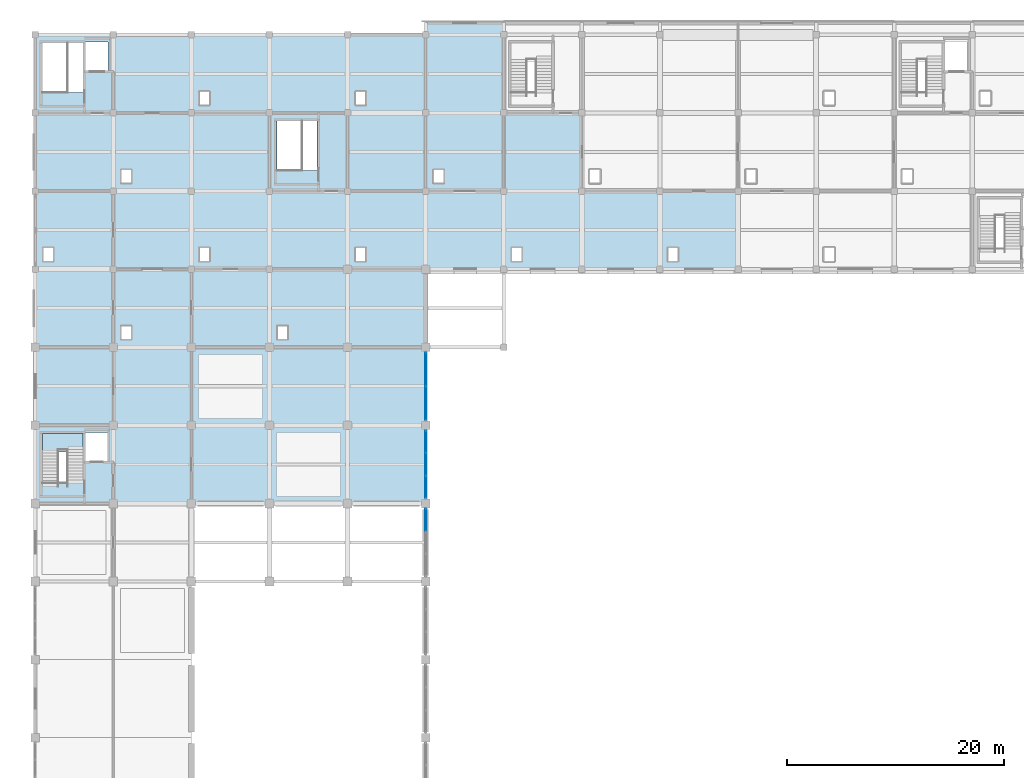
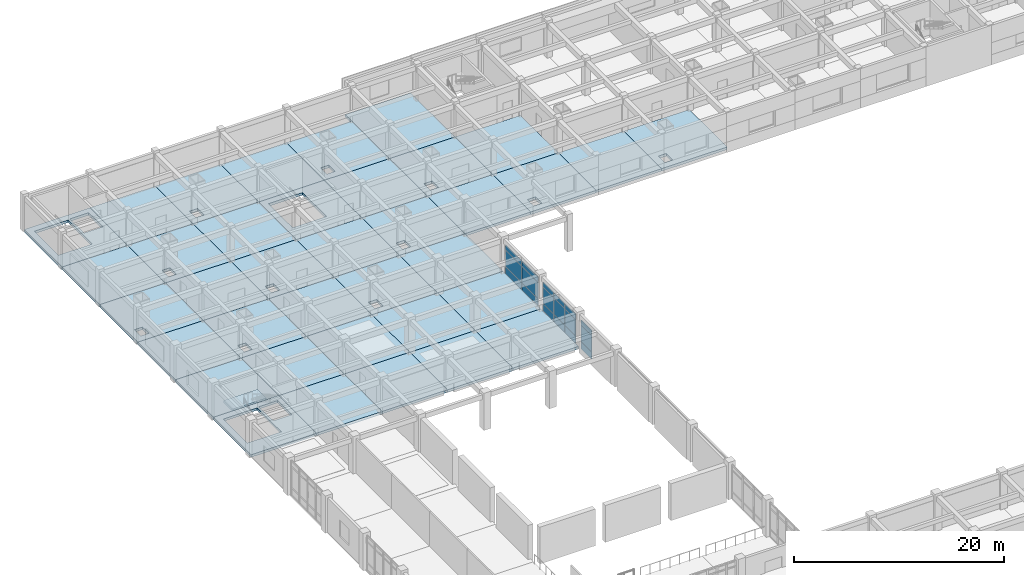
# One storey, part 38 of 70: 38 slabs, 18 plates, 4 elements without a shape of their own.
"""IFC4 building model written with IfcOpenShell, lengths in metres."""

from ifc_helpers import new_model, si_unit, direction, frame, origin, origin_2d, place, context, subcontext, project, spatial, polyline, rectangle, outline, extrude, material, layer, layer_set, type_object, element, aggregate, save


model = new_model("IFC4")

# Units and contexts
model_context = context("Model", 3, precision=1e-05, world=origin(), true_north=direction((0.0, 1.0)))
body_context = subcontext(model_context, "Body", "Model", "MODEL_VIEW")
ifc_project = project(units=[si_unit("LENGTHUNIT", "METRE"), si_unit("AREAUNIT", "SQUARE_METRE"), si_unit("VOLUMEUNIT", "CUBIC_METRE"), si_unit("PLANEANGLEUNIT", "RADIAN"), si_unit("MASSUNIT", "GRAM", prefix="KILO")], contexts=[model_context])

# Site, building, storey
site_placement = place(None, origin())
site = spatial("IfcSite", under=ifc_project, at=site_placement, CompositionType="ELEMENT")
building_placement = place(site_placement, origin())
building = spatial("IfcBuilding", under=site, at=building_placement, Name="Kavelor Marine Aquarium", CompositionType="ELEMENT")
storey_placement = place(building_placement, frame((0.0, 0.0, 9.179931640625)))
storey = spatial("IfcBuildingStorey", under=building, at=storey_placement, Name="L02", CompositionType="ELEMENT", Elevation=9.179931640625)

# Curtain wall, plates
ifc_material_1 = material(Name="Thermally Broken Aluminium and Low-E Glass", Category="aluminium")
ifc_layer_1 = layer(ifc_material_1, 0.30810546875)
ifc_layer_set_1 = layer_set([ifc_layer_1], Name="CW-SYS21")
curtain_wall_type_1 = type_object("IfcCurtainWallType", Name="CW-SYS21", PredefinedType="USERDEFINED", material=ifc_layer_set_1)
curtain_wall_1_placement = place(storey_placement, origin())
curtain_wall_1 = element("IfcCurtainWall", 1, at=curtain_wall_1_placement, inside=storey, type_object=curtain_wall_type_1, Name="cw:y:L02:05_08", ObjectType="Curtain Wall", PredefinedType="USERDEFINED")
ifc_material_2 = material(Name="Solar-Control Double Low-E Glazing", Category="glass")
ifc_layer_2 = layer(ifc_material_2, 0.06591796875)
ifc_layer_set_2 = layer_set([ifc_layer_2], Name="CWP-21")
plate_type_1 = type_object("IfcPlateType", Name="CWP-21", PredefinedType="CURTAIN_PANEL", material=ifc_layer_set_2)
plate_1_placement = place(storey_placement, frame((39.199951171875, 66.08837890625, 0.06494140625), z_axis=(0.0, 0.0, 1.0), x_axis=(0.0, 1.0, 0.0)))
plate_1 = element("IfcPlate", 2, at=plate_1_placement, type_object=plate_type_1, Name="CW21 panel 3.1", PredefinedType="CURTAIN_PANEL", context=body_context, shape_type="SweptSolid", body=[
    extrude(rectangle(XDim=2.013427734375, YDim=0.06591796875, at=origin_2d()), origin(), (0.0, 0.0, 1.0), 0.802490234375),
])
plate_2_placement = place(storey_placement, frame((39.199951171875, 66.08837890625, 0.9326171875), z_axis=(0.0, 0.0, 1.0), x_axis=(0.0, 1.0, 0.0)))
plate_2 = element("IfcPlate", 3, at=plate_2_placement, type_object=plate_type_1, Name="CW21 panel 3.2", PredefinedType="CURTAIN_PANEL", context=body_context, shape_type="SweptSolid", body=[
    extrude(rectangle(XDim=2.013427734375, YDim=0.06591796875, at=origin_2d()), origin(), (0.0, 0.0, 1.0), 1.844970703125),
])
plate_3_placement = place(storey_placement, frame((39.199951171875, 66.08837890625, 2.8427734375), z_axis=(0.0, 0.0, 1.0), x_axis=(0.0, 1.0, 0.0)))
plate_3 = element("IfcPlate", 4, at=plate_3_placement, type_object=plate_type_1, Name="CW21 panel 3.3", PredefinedType="CURTAIN_PANEL", context=body_context, shape_type="SweptSolid", body=[
    extrude(rectangle(XDim=2.013427734375, YDim=0.06591796875, at=origin_2d()), origin(), (0.0, 0.0, 1.0), 0.552490234375),
])
aggregate(curtain_wall_1, [plate_1, plate_2, plate_3])

ifc_material_3 = material(Name="Thermally Broken Aluminium and Low-E Glass", Category="aluminium")
ifc_layer_3 = layer(ifc_material_3, 0.31591796875)
ifc_layer_set_3 = layer_set([ifc_layer_3], Name="CW-SYS22")
curtain_wall_type_2 = type_object("IfcCurtainWallType", Name="CW-SYS22", PredefinedType="USERDEFINED", material=ifc_layer_set_3)
curtain_wall_2_placement = place(storey_placement, origin())
curtain_wall_2 = element("IfcCurtainWall", 5, at=curtain_wall_2_placement, inside=storey, type_object=curtain_wall_type_2, Name="cw:y:L02:05_09", ObjectType="Curtain Wall", PredefinedType="USERDEFINED")
ifc_material_4 = material(Name="Solar-Control Double Low-E Glazing", Category="glass")
ifc_layer_4 = layer(ifc_material_4, 0.068115234375)
ifc_layer_set_4 = layer_set([ifc_layer_4], Name="CWP-22")
plate_type_2 = type_object("IfcPlateType", Name="CWP-22", PredefinedType="CURTAIN_PANEL", material=ifc_layer_set_4)
plate_4_placement = place(storey_placement, frame((39.199951171875, 69.115478515625, 0.06005859375), z_axis=(0.0, 0.0, 1.0), x_axis=(0.0, 1.0, 0.0)))
plate_4 = element("IfcPlate", 6, at=plate_4_placement, type_object=plate_type_2, Name="CW22 panel 1.1", PredefinedType="CURTAIN_PANEL", context=body_context, shape_type="SweptSolid", body=[
    extrude(rectangle(XDim=1.99072265625, YDim=0.068115234375, at=origin_2d()), origin(), (0.0, 0.0, 1.0), 0.81005859375),
])
plate_5_placement = place(storey_placement, frame((39.199951171875, 69.115478515625, 0.929931640625), z_axis=(0.0, 0.0, 1.0), x_axis=(0.0, 1.0, 0.0)))
plate_5 = element("IfcPlate", 7, at=plate_5_placement, type_object=plate_type_2, Name="CW22 panel 1.2", PredefinedType="CURTAIN_PANEL", context=body_context, shape_type="SweptSolid", body=[
    extrude(rectangle(XDim=1.99072265625, YDim=0.068115234375, at=origin_2d()), origin(), (0.0, 0.0, 1.0), 1.8701171875),
])
plate_6_placement = place(storey_placement, frame((39.199951171875, 69.115478515625, 2.860107421875), z_axis=(0.0, 0.0, 1.0), x_axis=(0.0, 1.0, 0.0)))
plate_6 = element("IfcPlate", 8, at=plate_6_placement, type_object=plate_type_2, Name="CW22 panel 1.3", PredefinedType="CURTAIN_PANEL", context=body_context, shape_type="SweptSolid", body=[
    extrude(rectangle(XDim=1.99072265625, YDim=0.068115234375, at=origin_2d()), origin(), (0.0, 0.0, 1.0), 0.56005859375),
])
plate_7_placement = place(storey_placement, frame((39.199951171875, 71.199951171875, 0.06005859375), z_axis=(0.0, 0.0, 1.0), x_axis=(0.0, 1.0, 0.0)))
plate_7 = element("IfcPlate", 9, at=plate_7_placement, type_object=plate_type_2, Name="CW22 panel 2.1", PredefinedType="CURTAIN_PANEL", context=body_context, shape_type="SweptSolid", body=[
    extrude(rectangle(XDim=2.0283203125, YDim=0.068115234375, at=origin_2d()), origin(), (0.0, 0.0, 1.0), 0.81005859375),
])
plate_8_placement = place(storey_placement, frame((39.199951171875, 71.199951171875, 0.929931640625), z_axis=(0.0, 0.0, 1.0), x_axis=(0.0, 1.0, 0.0)))
plate_8 = element("IfcPlate", 10, at=plate_8_placement, type_object=plate_type_2, Name="CW22 panel 2.2", PredefinedType="CURTAIN_PANEL", context=body_context, shape_type="SweptSolid", body=[
    extrude(rectangle(XDim=2.0283203125, YDim=0.068115234375, at=origin_2d()), origin(), (0.0, 0.0, 1.0), 1.8701171875),
])
plate_9_placement = place(storey_placement, frame((39.199951171875, 71.199951171875, 2.860107421875), z_axis=(0.0, 0.0, 1.0), x_axis=(0.0, 1.0, 0.0)))
plate_9 = element("IfcPlate", 11, at=plate_9_placement, type_object=plate_type_2, Name="CW22 panel 2.3", PredefinedType="CURTAIN_PANEL", context=body_context, shape_type="SweptSolid", body=[
    extrude(rectangle(XDim=2.0283203125, YDim=0.068115234375, at=origin_2d()), origin(), (0.0, 0.0, 1.0), 0.56005859375),
])
plate_10_placement = place(storey_placement, frame((39.199951171875, 73.28466796875, 0.06005859375), z_axis=(0.0, 0.0, 1.0), x_axis=(0.0, 1.0, 0.0)))
plate_10 = element("IfcPlate", 12, at=plate_10_placement, type_object=plate_type_2, Name="CW22 panel 3.1", PredefinedType="CURTAIN_PANEL", context=body_context, shape_type="SweptSolid", body=[
    extrude(rectangle(XDim=1.99072265625, YDim=0.068115234375, at=origin_2d()), origin(), (0.0, 0.0, 1.0), 0.81005859375),
])
plate_11_placement = place(storey_placement, frame((39.199951171875, 73.28466796875, 0.929931640625), z_axis=(0.0, 0.0, 1.0), x_axis=(0.0, 1.0, 0.0)))
plate_11 = element("IfcPlate", 13, at=plate_11_placement, type_object=plate_type_2, Name="CW22 panel 3.2", PredefinedType="CURTAIN_PANEL", context=body_context, shape_type="SweptSolid", body=[
    extrude(rectangle(XDim=1.99072265625, YDim=0.068115234375, at=origin_2d()), origin(), (0.0, 0.0, 1.0), 1.8701171875),
])
plate_12_placement = place(storey_placement, frame((39.199951171875, 73.28466796875, 2.860107421875), z_axis=(0.0, 0.0, 1.0), x_axis=(0.0, 1.0, 0.0)))
plate_12 = element("IfcPlate", 14, at=plate_12_placement, type_object=plate_type_2, Name="CW22 panel 3.3", PredefinedType="CURTAIN_PANEL", context=body_context, shape_type="SweptSolid", body=[
    extrude(rectangle(XDim=1.99072265625, YDim=0.068115234375, at=origin_2d()), origin(), (0.0, 0.0, 1.0), 0.56005859375),
])
aggregate(curtain_wall_2, [plate_4, plate_5, plate_6, plate_7, plate_8, plate_9, plate_10, plate_11, plate_12])

ifc_material_5 = material(Name="Thermally Broken Aluminium and Low-E Glass", Category="aluminium")
ifc_layer_5 = layer(ifc_material_5, 0.323974609375)
ifc_layer_set_5 = layer_set([ifc_layer_5], Name="CW-SYS23")
curtain_wall_type_3 = type_object("IfcCurtainWallType", Name="CW-SYS23", PredefinedType="USERDEFINED", material=ifc_layer_set_5)
curtain_wall_3_placement = place(storey_placement, origin())
curtain_wall_3 = element("IfcCurtainWall", 15, at=curtain_wall_3_placement, inside=storey, type_object=curtain_wall_type_3, Name="cw:y:L02:05_10", ObjectType="Curtain Wall", PredefinedType="USERDEFINED")
ifc_material_6 = material(Name="Solar-Control Double Low-E Glazing", Category="glass")
ifc_layer_6 = layer(ifc_material_6, 0.070068359375)
ifc_layer_set_6 = layer_set([ifc_layer_6], Name="CWP-23")
plate_type_3 = type_object("IfcPlateType", Name="CWP-23", PredefinedType="CURTAIN_PANEL", material=ifc_layer_set_6)
plate_13_placement = place(storey_placement, frame((39.199951171875, 76.8388671875, 0.06005859375), z_axis=(0.0, 0.0, 1.0), x_axis=(0.0, 1.0, 0.0)))
plate_13 = element("IfcPlate", 16, at=plate_13_placement, type_object=plate_type_3, Name="CW23 panel 1.1", PredefinedType="CURTAIN_PANEL", context=body_context, shape_type="SweptSolid", body=[
    extrude(rectangle(XDim=3.0576171875, YDim=0.070068359375, at=origin_2d()), origin(), (0.0, 0.0, 1.0), 0.81005859375),
])
plate_14_placement = place(storey_placement, frame((39.199951171875, 76.8388671875, 0.929931640625), z_axis=(0.0, 0.0, 1.0), x_axis=(0.0, 1.0, 0.0)))
plate_14 = element("IfcPlate", 17, at=plate_14_placement, type_object=plate_type_3, Name="CW23 panel 1.2", PredefinedType="CURTAIN_PANEL", context=body_context, shape_type="SweptSolid", body=[
    extrude(rectangle(XDim=3.0576171875, YDim=0.070068359375, at=origin_2d()), origin(), (0.0, 0.0, 1.0), 1.85009765625),
])
plate_15_placement = place(storey_placement, frame((39.199951171875, 76.8388671875, 2.840087890625), z_axis=(0.0, 0.0, 1.0), x_axis=(0.0, 1.0, 0.0)))
plate_15 = element("IfcPlate", 18, at=plate_15_placement, type_object=plate_type_3, Name="CW23 panel 1.3", PredefinedType="CURTAIN_PANEL", context=body_context, shape_type="SweptSolid", body=[
    extrude(rectangle(XDim=3.0576171875, YDim=0.070068359375, at=origin_2d()), origin(), (0.0, 0.0, 1.0), 0.56005859375),
])
plate_16_placement = place(storey_placement, frame((39.199951171875, 79.961181640625, 0.06005859375), z_axis=(0.0, 0.0, 1.0), x_axis=(0.0, 1.0, 0.0)))
plate_16 = element("IfcPlate", 19, at=plate_16_placement, type_object=plate_type_3, Name="CW23 panel 2.1", PredefinedType="CURTAIN_PANEL", context=body_context, shape_type="SweptSolid", body=[
    extrude(rectangle(XDim=3.0576171875, YDim=0.070068359375, at=origin_2d()), origin(), (0.0, 0.0, 1.0), 0.81005859375),
])
plate_17_placement = place(storey_placement, frame((39.199951171875, 79.961181640625, 0.929931640625), z_axis=(0.0, 0.0, 1.0), x_axis=(0.0, 1.0, 0.0)))
plate_17 = element("IfcPlate", 20, at=plate_17_placement, type_object=plate_type_3, Name="CW23 panel 2.2", PredefinedType="CURTAIN_PANEL", context=body_context, shape_type="SweptSolid", body=[
    extrude(rectangle(XDim=3.0576171875, YDim=0.070068359375, at=origin_2d()), origin(), (0.0, 0.0, 1.0), 1.85009765625),
])
plate_18_placement = place(storey_placement, frame((39.199951171875, 79.961181640625, 2.840087890625), z_axis=(0.0, 0.0, 1.0), x_axis=(0.0, 1.0, 0.0)))
plate_18 = element("IfcPlate", 21, at=plate_18_placement, type_object=plate_type_3, Name="CW23 panel 2.3", PredefinedType="CURTAIN_PANEL", context=body_context, shape_type="SweptSolid", body=[
    extrude(rectangle(XDim=3.0576171875, YDim=0.070068359375, at=origin_2d()), origin(), (0.0, 0.0, 1.0), 0.56005859375),
])
aggregate(curtain_wall_3, [plate_13, plate_14, plate_15, plate_16, plate_17, plate_18])

# Stair, slab
ifc_material_7 = material(Name="Concrete C40/50", Category="concrete")
stair_type = type_object("IfcStairType", Name="ST-T3", PredefinedType="HALF_TURN_STAIR", material=ifc_material_7)
stair_placement = place(storey_placement, origin())
stair = element("IfcStair", 22, at=stair_placement, inside=storey, type_object=stair_type, Name="Exit Stair ST03 (L02)", PredefinedType="HALF_TURN_STAIR")
ifc_material_8 = material(Name="Concrete C40/50", Category="concrete")
ifc_layer_7 = layer(ifc_material_8, 0.199951171875)
ifc_layer_set_7 = layer_set([ifc_layer_7], Name="LND-T3")
slab_type_1 = type_object("IfcSlabType", Name="LND-T3", PredefinedType="LANDING", material=ifc_layer_set_7)
slab_1_placement = place(storey_placement, frame((0.0, 0.0, 1.9599609375)))
slab_1 = element("IfcSlab", 23, at=slab_1_placement, type_object=slab_type_1, Name="ST03 landing 1", PredefinedType="LANDING", context=body_context, shape_type="SweptSolid", body=[
    extrude(outline(polyline([(3.860107421875, 72.364013671875), (7.6201171875, 72.364013671875), (7.6201171875, 74.06005859375), (3.860107421875, 74.06005859375), (3.860107421875, 72.364013671875)])), origin(), (0.0, 0.0, 1.0), 0.2001953125),
])
aggregate(stair, [slab_1])

# Slabs
ifc_material_9 = material(Name="Concrete C40/50", Category="concrete")
ifc_layer_8 = layer(ifc_material_9, 0.300048828125)
ifc_layer_set_8 = layer_set([ifc_layer_8], Name="SL-FL1")
slab_type_2 = type_object("IfcSlabType", Name="SL-FL1", PredefinedType="FLOOR", material=ifc_layer_set_8)
slab_2_placement = place(storey_placement, frame((0.0, 0.0, -0.300048828125)))
element("IfcSlab", 24, at=slab_2_placement, inside=storey, type_object=slab_type_2, Name="slab:L02:00_10", PredefinedType="FLOOR", context=body_context, shape_type="SweptSolid", body=[
    extrude(outline(polyline([(3.199951171875, 74.800048828125), (10.39990234375, 74.800048828125), (10.39990234375, 82.0), (3.199951171875, 82.0), (3.199951171875, 74.800048828125)])), origin(), (0.0, 0.0, 1.0), 0.300048828125),
])
slab_3_placement = place(storey_placement, frame((0.0, 0.0, -0.300048828125)))
element("IfcSlab", 25, at=slab_3_placement, inside=storey, type_object=slab_type_2, Name="slab:L02:00_12", PredefinedType="FLOOR", context=body_context, shape_type="SweptSolid", body=[
    extrude(outline(polyline([(3.199951171875, 89.199951171875), (10.39990234375, 89.199951171875), (10.39990234375, 96.39990234375), (3.199951171875, 96.39990234375), (3.199951171875, 89.199951171875)]), holes=[polyline([(3.949951171875, 89.949951171875), (4.85009765625, 89.949951171875), (4.85009765625, 91.14990234375), (3.949951171875, 91.14990234375), (3.949951171875, 89.949951171875)])]), origin(), (0.0, 0.0, 1.0), 0.300048828125),
])
slab_4_placement = place(storey_placement, frame((0.0, 0.0, -0.300048828125)))
element("IfcSlab", 26, at=slab_4_placement, inside=storey, type_object=slab_type_2, Name="slab:L02:00_14", PredefinedType="FLOOR", context=body_context, shape_type="SweptSolid", body=[
    extrude(outline(polyline([(3.199951171875, 103.60009765625), (10.39990234375, 103.60009765625), (10.39990234375, 110.800048828125), (3.199951171875, 110.800048828125), (3.199951171875, 103.60009765625)]), holes=[polyline([(3.8798828125, 105.48291015625), (7.60009765625, 105.48291015625), (7.60009765625, 110.070068359375), (3.8798828125, 110.070068359375), (3.8798828125, 105.48291015625)]), polyline([(7.860107421875, 107.449951171875), (9.89990234375, 107.449951171875), (9.89990234375, 110.14990234375), (7.800048828125, 110.14990234375), (7.860107421875, 107.449951171875)])]), origin(), (0.0, 0.0, 1.0), 0.300048828125),
])
slab_5_placement = place(storey_placement, frame((0.0, 0.0, -0.300048828125)))
element("IfcSlab", 27, at=slab_5_placement, inside=storey, type_object=slab_type_2, Name="slab:L02:01_09", PredefinedType="FLOOR", context=body_context, shape_type="SweptSolid", body=[
    extrude(outline(polyline([(10.39990234375, 67.60009765625), (17.60009765625, 67.60009765625), (17.60009765625, 74.800048828125), (10.39990234375, 74.800048828125), (10.39990234375, 67.60009765625)])), origin(), (0.0, 0.0, 1.0), 0.300048828125),
])
slab_6_placement = place(storey_placement, frame((0.0, 0.0, -0.300048828125)))
element("IfcSlab", 28, at=slab_6_placement, inside=storey, type_object=slab_type_2, Name="slab:L02:01_11", PredefinedType="FLOOR", context=body_context, shape_type="SweptSolid", body=[
    extrude(outline(polyline([(10.39990234375, 82.0), (17.60009765625, 82.0), (17.60009765625, 89.199951171875), (10.39990234375, 89.199951171875), (10.39990234375, 82.0)]), holes=[polyline([(11.14990234375, 82.75), (12.050048828125, 82.75), (12.050048828125, 83.949951171875), (11.14990234375, 83.949951171875), (11.14990234375, 82.75)])]), origin(), (0.0, 0.0, 1.0), 0.300048828125),
])
slab_7_placement = place(storey_placement, frame((0.0, 0.0, -0.300048828125)))
element("IfcSlab", 29, at=slab_7_placement, inside=storey, type_object=slab_type_2, Name="slab:L02:01_13", PredefinedType="FLOOR", context=body_context, shape_type="SweptSolid", body=[
    extrude(outline(polyline([(10.39990234375, 96.39990234375), (17.60009765625, 96.39990234375), (17.60009765625, 103.60009765625), (10.39990234375, 103.60009765625), (10.39990234375, 96.39990234375)]), holes=[polyline([(11.14990234375, 97.14990234375), (12.050048828125, 97.14990234375), (12.050048828125, 98.35009765625), (11.14990234375, 98.35009765625), (11.14990234375, 97.14990234375)])]), origin(), (0.0, 0.0, 1.0), 0.300048828125),
])
slab_8_placement = place(storey_placement, frame((0.0, 0.0, -0.300048828125)))
element("IfcSlab", 30, at=slab_8_placement, inside=storey, type_object=slab_type_2, Name="slab:L02:02_10", PredefinedType="FLOOR", context=body_context, shape_type="SweptSolid", body=[
    extrude(outline(polyline([(17.60009765625, 74.800048828125), (24.800048828125, 74.800048828125), (24.800048828125, 82.0), (17.60009765625, 82.0), (17.60009765625, 74.800048828125)])), origin(), (0.0, 0.0, 1.0), 0.300048828125),
])
slab_9_placement = place(storey_placement, frame((0.0, 0.0, -0.300048828125)))
element("IfcSlab", 31, at=slab_9_placement, inside=storey, type_object=slab_type_2, Name="slab:L02:02_12", PredefinedType="FLOOR", context=body_context, shape_type="SweptSolid", body=[
    extrude(outline(polyline([(17.60009765625, 89.199951171875), (24.800048828125, 89.199951171875), (24.800048828125, 96.39990234375), (17.60009765625, 96.39990234375), (17.60009765625, 89.199951171875)]), holes=[polyline([(18.35009765625, 89.949951171875), (19.25, 89.949951171875), (19.25, 91.14990234375), (18.35009765625, 91.14990234375), (18.35009765625, 89.949951171875)])]), origin(), (0.0, 0.0, 1.0), 0.300048828125),
])
slab_10_placement = place(storey_placement, frame((0.0, 0.0, -0.300048828125)))
element("IfcSlab", 32, at=slab_10_placement, inside=storey, type_object=slab_type_2, Name="slab:L02:02_14", PredefinedType="FLOOR", context=body_context, shape_type="SweptSolid", body=[
    extrude(outline(polyline([(17.60009765625, 103.60009765625), (24.800048828125, 103.60009765625), (24.800048828125, 110.800048828125), (17.60009765625, 110.800048828125), (17.60009765625, 103.60009765625)]), holes=[polyline([(18.35009765625, 104.35009765625), (19.25, 104.35009765625), (19.25, 105.550048828125), (18.35009765625, 105.550048828125), (18.35009765625, 104.35009765625)])]), origin(), (0.0, 0.0, 1.0), 0.300048828125),
])
slab_11_placement = place(storey_placement, frame((0.0, 0.0, -0.300048828125)))
element("IfcSlab", 33, at=slab_11_placement, inside=storey, type_object=slab_type_2, Name="slab:L02:03_09", PredefinedType="FLOOR", context=body_context, shape_type="SweptSolid", body=[
    extrude(outline(polyline([(24.800048828125, 67.60009765625), (32.0, 67.60009765625), (32.0, 74.800048828125), (24.800048828125, 74.800048828125), (24.800048828125, 67.60009765625)])), origin(), (0.0, 0.0, 1.0), 0.300048828125),
])
slab_12_placement = place(storey_placement, frame((0.0, 0.0, -0.300048828125)))
element("IfcSlab", 34, at=slab_12_placement, inside=storey, type_object=slab_type_2, Name="slab:L02:03_11", PredefinedType="FLOOR", context=body_context, shape_type="SweptSolid", body=[
    extrude(outline(polyline([(24.800048828125, 82.0), (32.0, 82.0), (32.0, 89.199951171875), (24.800048828125, 89.199951171875), (24.800048828125, 82.0)]), holes=[polyline([(25.550048828125, 82.75), (26.449951171875, 82.75), (26.449951171875, 83.949951171875), (25.550048828125, 83.949951171875), (25.550048828125, 82.75)])]), origin(), (0.0, 0.0, 1.0), 0.300048828125),
])
slab_13_placement = place(storey_placement, frame((0.0, 0.0, -0.300048828125)))
element("IfcSlab", 35, at=slab_13_placement, inside=storey, type_object=slab_type_2, Name="slab:L02:03_13", PredefinedType="FLOOR", context=body_context, shape_type="SweptSolid", body=[
    extrude(outline(polyline([(24.800048828125, 96.39990234375), (32.0, 96.39990234375), (32.0, 103.60009765625), (24.800048828125, 103.60009765625), (24.800048828125, 96.39990234375)]), holes=[polyline([(25.47998046875, 98.282958984375), (29.199951171875, 98.282958984375), (29.199951171875, 102.8701171875), (25.47998046875, 102.8701171875), (25.47998046875, 98.282958984375)])]), origin(), (0.0, 0.0, 1.0), 0.300048828125),
])
slab_14_placement = place(storey_placement, frame((0.0, 0.0, -0.300048828125)))
element("IfcSlab", 36, at=slab_14_placement, inside=storey, type_object=slab_type_2, Name="slab:L02:04_10", PredefinedType="FLOOR", context=body_context, shape_type="SweptSolid", body=[
    extrude(outline(polyline([(32.0, 74.800048828125), (39.199951171875, 74.800048828125), (39.199951171875, 82.0), (32.0, 82.0), (32.0, 74.800048828125)])), origin(), (0.0, 0.0, 1.0), 0.300048828125),
])
slab_15_placement = place(storey_placement, frame((0.0, 0.0, -0.300048828125)))
element("IfcSlab", 37, at=slab_15_placement, inside=storey, type_object=slab_type_2, Name="slab:L02:04_12", PredefinedType="FLOOR", context=body_context, shape_type="SweptSolid", body=[
    extrude(outline(polyline([(32.0, 89.199951171875), (39.199951171875, 89.199951171875), (39.199951171875, 96.39990234375), (32.0, 96.39990234375), (32.0, 89.199951171875)]), holes=[polyline([(32.75, 89.949951171875), (33.64990234375, 89.949951171875), (33.64990234375, 91.14990234375), (32.75, 91.14990234375), (32.75, 89.949951171875)])]), origin(), (0.0, 0.0, 1.0), 0.300048828125),
])
slab_16_placement = place(storey_placement, frame((0.0, 0.0, -0.300048828125)))
element("IfcSlab", 38, at=slab_16_placement, inside=storey, type_object=slab_type_2, Name="slab:L02:04_14", PredefinedType="FLOOR", context=body_context, shape_type="SweptSolid", body=[
    extrude(outline(polyline([(32.0, 103.60009765625), (39.199951171875, 103.60009765625), (39.199951171875, 110.800048828125), (32.0, 110.800048828125), (32.0, 103.60009765625)]), holes=[polyline([(32.75, 104.35009765625), (33.64990234375, 104.35009765625), (33.64990234375, 105.550048828125), (32.75, 105.550048828125), (32.75, 104.35009765625)])]), origin(), (0.0, 0.0, 1.0), 0.300048828125),
])
slab_17_placement = place(storey_placement, frame((0.0, 0.0, -0.300048828125)))
element("IfcSlab", 39, at=slab_17_placement, inside=storey, type_object=slab_type_2, Name="slab:L02:05_13", PredefinedType="FLOOR", context=body_context, shape_type="SweptSolid", body=[
    extrude(outline(polyline([(39.199951171875, 96.39990234375), (46.39990234375, 96.39990234375), (46.39990234375, 103.60009765625), (39.199951171875, 103.60009765625), (39.199951171875, 96.39990234375)]), holes=[polyline([(39.949951171875, 97.14990234375), (40.85009765625, 97.14990234375), (40.85009765625, 98.35009765625), (39.949951171875, 98.35009765625), (39.949951171875, 97.14990234375)])]), origin(), (0.0, 0.0, 1.0), 0.300048828125),
])
slab_18_placement = place(storey_placement, frame((0.0, 0.0, -0.300048828125)))
element("IfcSlab", 40, at=slab_18_placement, inside=storey, type_object=slab_type_2, Name="slab:L02:06_12", PredefinedType="FLOOR", context=body_context, shape_type="SweptSolid", body=[
    extrude(outline(polyline([(46.39990234375, 89.199951171875), (53.60009765625, 89.199951171875), (53.60009765625, 96.39990234375), (46.39990234375, 96.39990234375), (46.39990234375, 89.199951171875)]), holes=[polyline([(47.14990234375, 89.949951171875), (48.050048828125, 89.949951171875), (48.050048828125, 91.14990234375), (47.14990234375, 91.14990234375), (47.14990234375, 89.949951171875)])]), origin(), (0.0, 0.0, 1.0), 0.300048828125),
])
slab_19_placement = place(storey_placement, frame((0.0, 0.0, -0.300048828125)))
element("IfcSlab", 41, at=slab_19_placement, inside=storey, type_object=slab_type_2, Name="slab:L02:08_12", PredefinedType="FLOOR", context=body_context, shape_type="SweptSolid", body=[
    extrude(outline(polyline([(60.800048828125, 89.199951171875), (68.0, 89.199951171875), (68.0, 96.39990234375), (60.800048828125, 96.39990234375), (60.800048828125, 89.199951171875)]), holes=[polyline([(61.550048828125, 89.949951171875), (62.449951171875, 89.949951171875), (62.449951171875, 91.14990234375), (61.550048828125, 91.14990234375), (61.550048828125, 89.949951171875)])]), origin(), (0.0, 0.0, 1.0), 0.300048828125),
])
ifc_material_10 = material(Name="Concrete C40/50", Category="concrete")
ifc_layer_9 = layer(ifc_material_10, 0.280029296875)
ifc_layer_set_9 = layer_set([ifc_layer_9], Name="SL-FL2")
slab_type_3 = type_object("IfcSlabType", Name="SL-FL2", PredefinedType="FLOOR", material=ifc_layer_set_9)
slab_20_placement = place(storey_placement, frame((0.0, 0.0, -0.280029296875)))
element("IfcSlab", 42, at=slab_20_placement, inside=storey, type_object=slab_type_3, Name="slab:L02:00_09", PredefinedType="FLOOR", context=body_context, shape_type="SweptSolid", body=[
    extrude(outline(polyline([(3.199951171875, 67.60009765625), (10.39990234375, 67.60009765625), (10.39990234375, 74.800048828125), (3.199951171875, 74.800048828125), (3.199951171875, 67.60009765625)]), holes=[polyline([(3.8798828125, 69.48291015625), (7.60009765625, 69.48291015625), (7.60009765625, 74.070068359375), (3.8798828125, 74.070068359375), (3.8798828125, 69.48291015625)]), polyline([(7.860107421875, 71.449951171875), (9.89990234375, 71.449951171875), (9.89990234375, 74.14990234375), (7.800048828125, 74.14990234375), (7.860107421875, 71.449951171875)])]), origin(), (0.0, 0.0, 1.0), 0.280029296875),
])
slab_21_placement = place(storey_placement, frame((0.0, 0.0, -0.280029296875)))
element("IfcSlab", 43, at=slab_21_placement, inside=storey, type_object=slab_type_3, Name="slab:L02:00_11", PredefinedType="FLOOR", context=body_context, shape_type="SweptSolid", body=[
    extrude(outline(polyline([(3.199951171875, 82.0), (10.39990234375, 82.0), (10.39990234375, 89.199951171875), (3.199951171875, 89.199951171875), (3.199951171875, 82.0)])), origin(), (0.0, 0.0, 1.0), 0.280029296875),
])
slab_22_placement = place(storey_placement, frame((0.0, 0.0, -0.280029296875)))
element("IfcSlab", 44, at=slab_22_placement, inside=storey, type_object=slab_type_3, Name="slab:L02:00_13", PredefinedType="FLOOR", context=body_context, shape_type="SweptSolid", body=[
    extrude(outline(polyline([(3.199951171875, 96.39990234375), (10.39990234375, 96.39990234375), (10.39990234375, 103.60009765625), (3.199951171875, 103.60009765625), (3.199951171875, 96.39990234375)])), origin(), (0.0, 0.0, 1.0), 0.280029296875),
])
slab_23_placement = place(storey_placement, frame((0.0, 0.0, -0.280029296875)))
element("IfcSlab", 45, at=slab_23_placement, inside=storey, type_object=slab_type_3, Name="slab:L02:01_10", PredefinedType="FLOOR", context=body_context, shape_type="SweptSolid", body=[
    extrude(outline(polyline([(10.39990234375, 74.800048828125), (17.60009765625, 74.800048828125), (17.60009765625, 82.0), (10.39990234375, 82.0), (10.39990234375, 74.800048828125)])), origin(), (0.0, 0.0, 1.0), 0.280029296875),
])
slab_24_placement = place(storey_placement, frame((0.0, 0.0, -0.280029296875)))
element("IfcSlab", 46, at=slab_24_placement, inside=storey, type_object=slab_type_3, Name="slab:L02:01_12", PredefinedType="FLOOR", context=body_context, shape_type="SweptSolid", body=[
    extrude(outline(polyline([(10.39990234375, 89.199951171875), (17.60009765625, 89.199951171875), (17.60009765625, 96.39990234375), (10.39990234375, 96.39990234375), (10.39990234375, 89.199951171875)])), origin(), (0.0, 0.0, 1.0), 0.280029296875),
])
slab_25_placement = place(storey_placement, frame((0.0, 0.0, -0.280029296875)))
element("IfcSlab", 47, at=slab_25_placement, inside=storey, type_object=slab_type_3, Name="slab:L02:01_14", PredefinedType="FLOOR", context=body_context, shape_type="SweptSolid", body=[
    extrude(outline(polyline([(10.39990234375, 103.60009765625), (17.60009765625, 103.60009765625), (17.60009765625, 110.800048828125), (10.39990234375, 110.800048828125), (10.39990234375, 103.60009765625)])), origin(), (0.0, 0.0, 1.0), 0.280029296875),
])
slab_26_placement = place(storey_placement, frame((0.0, 0.0, -0.280029296875)))
element("IfcSlab", 48, at=slab_26_placement, inside=storey, type_object=slab_type_3, Name="slab:L02:02_09", PredefinedType="FLOOR", context=body_context, shape_type="SweptSolid", body=[
    extrude(outline(polyline([(17.60009765625, 67.60009765625), (24.800048828125, 67.60009765625), (24.800048828125, 74.800048828125), (17.60009765625, 74.800048828125), (17.60009765625, 67.60009765625)])), origin(), (0.0, 0.0, 1.0), 0.280029296875),
])
slab_27_placement = place(storey_placement, frame((0.0, 0.0, -0.280029296875)))
element("IfcSlab", 49, at=slab_27_placement, inside=storey, type_object=slab_type_3, Name="slab:L02:02_11", PredefinedType="FLOOR", context=body_context, shape_type="SweptSolid", body=[
    extrude(outline(polyline([(17.60009765625, 82.0), (24.800048828125, 82.0), (24.800048828125, 89.199951171875), (17.60009765625, 89.199951171875), (17.60009765625, 82.0)])), origin(), (0.0, 0.0, 1.0), 0.280029296875),
])
slab_28_placement = place(storey_placement, frame((0.0, 0.0, -0.280029296875)))
element("IfcSlab", 50, at=slab_28_placement, inside=storey, type_object=slab_type_3, Name="slab:L02:02_13", PredefinedType="FLOOR", context=body_context, shape_type="SweptSolid", body=[
    extrude(outline(polyline([(17.60009765625, 96.39990234375), (24.800048828125, 96.39990234375), (24.800048828125, 103.60009765625), (17.60009765625, 103.60009765625), (17.60009765625, 96.39990234375)])), origin(), (0.0, 0.0, 1.0), 0.280029296875),
])
slab_29_placement = place(storey_placement, frame((0.0, 0.0, -0.280029296875)))
element("IfcSlab", 51, at=slab_29_placement, inside=storey, type_object=slab_type_3, Name="slab:L02:03_10", PredefinedType="FLOOR", context=body_context, shape_type="SweptSolid", body=[
    extrude(outline(polyline([(24.800048828125, 74.800048828125), (32.0, 74.800048828125), (32.0, 82.0), (24.800048828125, 82.0), (24.800048828125, 74.800048828125)])), origin(), (0.0, 0.0, 1.0), 0.280029296875),
])
slab_30_placement = place(storey_placement, frame((0.0, 0.0, -0.280029296875)))
element("IfcSlab", 52, at=slab_30_placement, inside=storey, type_object=slab_type_3, Name="slab:L02:03_12", PredefinedType="FLOOR", context=body_context, shape_type="SweptSolid", body=[
    extrude(outline(polyline([(24.800048828125, 89.199951171875), (32.0, 89.199951171875), (32.0, 96.39990234375), (24.800048828125, 96.39990234375), (24.800048828125, 89.199951171875)])), origin(), (0.0, 0.0, 1.0), 0.280029296875),
])
slab_31_placement = place(storey_placement, frame((0.0, 0.0, -0.280029296875)))
element("IfcSlab", 53, at=slab_31_placement, inside=storey, type_object=slab_type_3, Name="slab:L02:03_14", PredefinedType="FLOOR", context=body_context, shape_type="SweptSolid", body=[
    extrude(outline(polyline([(24.800048828125, 103.60009765625), (32.0, 103.60009765625), (32.0, 110.800048828125), (24.800048828125, 110.800048828125), (24.800048828125, 103.60009765625)])), origin(), (0.0, 0.0, 1.0), 0.280029296875),
])
slab_32_placement = place(storey_placement, frame((0.0, 0.0, -0.280029296875)))
element("IfcSlab", 54, at=slab_32_placement, inside=storey, type_object=slab_type_3, Name="slab:L02:04_09", PredefinedType="FLOOR", context=body_context, shape_type="SweptSolid", body=[
    extrude(outline(polyline([(32.0, 67.60009765625), (39.199951171875, 67.60009765625), (39.199951171875, 74.800048828125), (32.0, 74.800048828125), (32.0, 67.60009765625)])), origin(), (0.0, 0.0, 1.0), 0.280029296875),
])
slab_33_placement = place(storey_placement, frame((0.0, 0.0, -0.280029296875)))
element("IfcSlab", 55, at=slab_33_placement, inside=storey, type_object=slab_type_3, Name="slab:L02:04_11", PredefinedType="FLOOR", context=body_context, shape_type="SweptSolid", body=[
    extrude(outline(polyline([(32.0, 82.0), (39.199951171875, 82.0), (39.199951171875, 89.199951171875), (32.0, 89.199951171875), (32.0, 82.0)])), origin(), (0.0, 0.0, 1.0), 0.280029296875),
])
slab_34_placement = place(storey_placement, frame((0.0, 0.0, -0.280029296875)))
element("IfcSlab", 56, at=slab_34_placement, inside=storey, type_object=slab_type_3, Name="slab:L02:04_13", PredefinedType="FLOOR", context=body_context, shape_type="SweptSolid", body=[
    extrude(outline(polyline([(32.0, 96.39990234375), (39.199951171875, 96.39990234375), (39.199951171875, 103.60009765625), (32.0, 103.60009765625), (32.0, 96.39990234375)])), origin(), (0.0, 0.0, 1.0), 0.280029296875),
])
slab_35_placement = place(storey_placement, frame((0.0, 0.0, -0.280029296875)))
element("IfcSlab", 57, at=slab_35_placement, inside=storey, type_object=slab_type_3, Name="slab:L02:05_12", PredefinedType="FLOOR", context=body_context, shape_type="SweptSolid", body=[
    extrude(outline(polyline([(39.199951171875, 89.199951171875), (46.39990234375, 89.199951171875), (46.39990234375, 96.39990234375), (39.199951171875, 96.39990234375), (39.199951171875, 89.199951171875)])), origin(), (0.0, 0.0, 1.0), 0.280029296875),
])
slab_36_placement = place(storey_placement, frame((0.0, 0.0, -0.280029296875)))
element("IfcSlab", 58, at=slab_36_placement, inside=storey, type_object=slab_type_3, Name="slab:L02:05_14", PredefinedType="FLOOR", context=body_context, shape_type="SweptSolid", body=[
    extrude(outline(polyline([(39.199951171875, 103.60009765625), (46.39990234375, 103.60009765625), (46.39990234375, 112.0400390625), (39.199951171875, 112.0400390625), (39.199951171875, 103.60009765625)])), origin(), (0.0, 0.0, 1.0), 0.280029296875),
])
slab_37_placement = place(storey_placement, frame((0.0, 0.0, -0.280029296875)))
element("IfcSlab", 59, at=slab_37_placement, inside=storey, type_object=slab_type_3, Name="slab:L02:06_13", PredefinedType="FLOOR", context=body_context, shape_type="SweptSolid", body=[
    extrude(outline(polyline([(46.39990234375, 96.39990234375), (53.60009765625, 96.39990234375), (53.60009765625, 103.60009765625), (46.39990234375, 103.60009765625), (46.39990234375, 96.39990234375)])), origin(), (0.0, 0.0, 1.0), 0.280029296875),
])
slab_38_placement = place(storey_placement, frame((0.0, 0.0, -0.280029296875)))
element("IfcSlab", 60, at=slab_38_placement, inside=storey, type_object=slab_type_3, Name="slab:L02:07_12", PredefinedType="FLOOR", context=body_context, shape_type="SweptSolid", body=[
    extrude(outline(polyline([(53.60009765625, 89.199951171875), (60.800048828125, 89.199951171875), (60.800048828125, 96.39990234375), (53.60009765625, 96.39990234375), (53.60009765625, 89.199951171875)])), origin(), (0.0, 0.0, 1.0), 0.280029296875),
])

save(model, "model.ifc")
